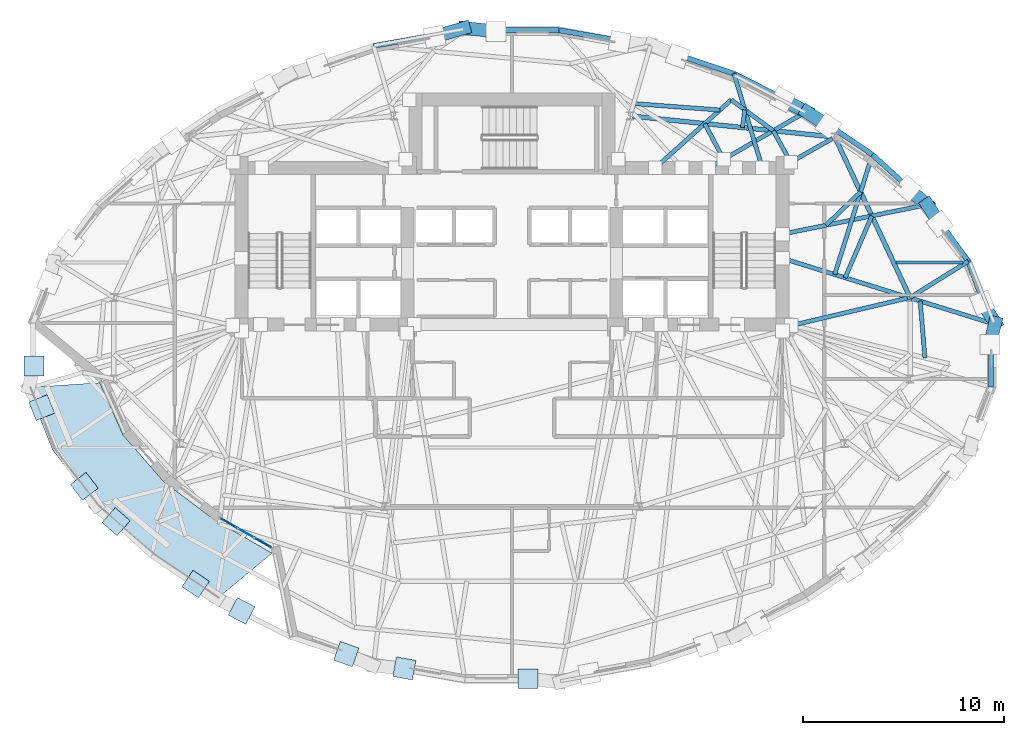
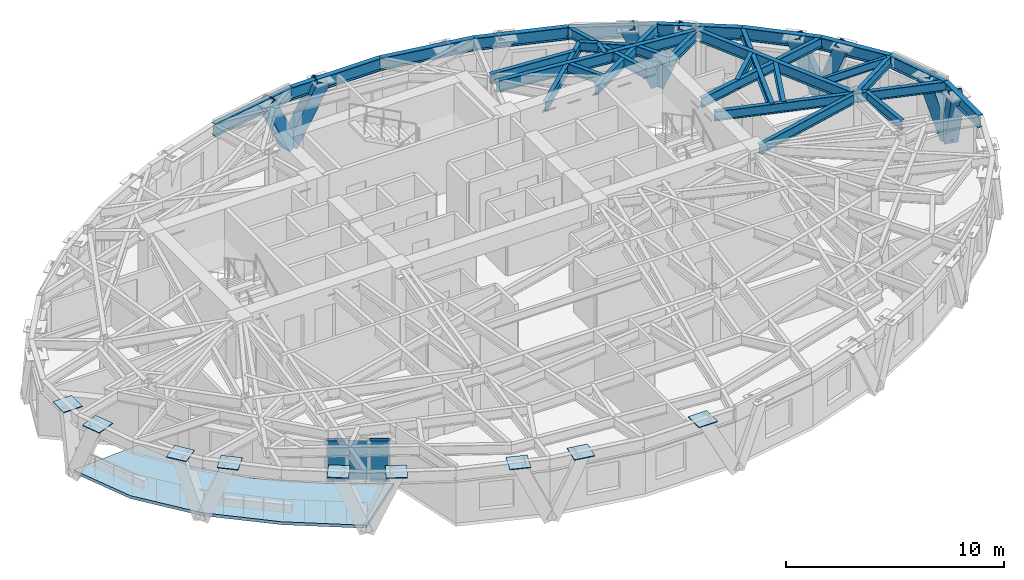
# One storey, part 5 of 15: 30 beams, 12 members, 12 plates, 1 slab, 1 element without a shape of its own.
"""IFC4 building model written with IfcOpenShell, lengths in metres."""

import ifcopenshell
import ifcopenshell.guid

model = None  # the IFC model being written
_history = None  # IfcOwnerHistory: only IFC2X3 demands one
_inside = {}  # id of a spatial element -> (the spatial element, [elements in it])
_under = {}  # id of a project, library or spatial element -> (it, [spatial elements below it])
_declared = {}  # id of a project -> (the project, [libraries it declares])
_typed = {}  # id of a type object -> (the type object, [elements of that type])
_made_of = {}  # id of a material, layer set ... -> (it, [elements and type objects made of it])


def new_model(schema):
    """Start an empty IFC model of exactly this schema.

    Asked for "IFC4X3", IfcOpenShell would pick the latest addendum, in which some entities
    have other attributes; the version numbers below select the first issue.
    IFC2X3 requires an IfcOwnerHistory on every rooted entity: one is made here for all.
    """
    global model, _history
    if schema == "IFC4X3":
        model = ifcopenshell.file(schema_version=(4, 3, 0, 0))
    else:
        model = ifcopenshell.file(schema=schema)
    _inside.clear()
    _under.clear()
    _declared.clear()
    _typed.clear()
    _made_of.clear()
    _history = None
    if model.schema == "IFC2X3":
        org = make("IfcOrganization", Name="unknown")
        user = make(
            "IfcPersonAndOrganization",
            ThePerson=make("IfcPerson", FamilyName="unknown"),
            TheOrganization=org,
        )
        app = make(
            "IfcApplication",
            ApplicationDeveloper=org,
            Version="unknown",
            ApplicationFullName="unknown",
            ApplicationIdentifier="unknown",
        )
        _history = make(
            "IfcOwnerHistory",
            OwningUser=user,
            OwningApplication=app,
            ChangeAction="ADDED",
            CreationDate=0,
        )
    return model


def make(cls, **values):
    """One entity of the class cls with the attributes given. An attribute that is None is left unset."""
    return model.create_entity(
        cls, **{name: value for name, value in values.items() if value is not None}
    )


def rooted(cls, **values):
    """An entity with a GlobalId (a new one), such as an element, a storey or a relation."""
    return make(cls, GlobalId=ifcopenshell.guid.new(), OwnerHistory=_history, **values)


def si_unit(unit_type, name, prefix=None):
    """IfcSIUnit, for example si_unit("LENGTHUNIT", "METRE", prefix="MILLI")."""
    return make("IfcSIUnit", UnitType=unit_type, Prefix=prefix, Name=name)


def assignment(units):
    """IfcUnitAssignment: the units of a project."""
    return None if units is None else make("IfcUnitAssignment", Units=units)


def point(xyz):
    """IfcCartesianPoint."""
    return None if xyz is None else make("IfcCartesianPoint", Coordinates=xyz)


def direction(xyz):
    """IfcDirection."""
    return None if xyz is None else make("IfcDirection", DirectionRatios=xyz)


def frame(location, z_axis=None, x_axis=None):
    """IfcAxis2Placement3D, a coordinate frame: its origin and axes. An axis left out is left unset."""
    return make(
        "IfcAxis2Placement3D",
        Location=point(location),
        Axis=direction(z_axis),
        RefDirection=direction(x_axis),
    )


def frame_2d(location, x_axis=None):
    """IfcAxis2Placement2D, a coordinate frame in the plane: its origin and x axis."""
    return make(
        "IfcAxis2Placement2D", Location=point(location), RefDirection=direction(x_axis)
    )


def origin():
    """The frame at (0, 0, 0) with its axes left unset."""
    return frame((0.0, 0.0, 0.0))


def origin_2d():
    """The frame at (0, 0) in the plane with its x axis left unset."""
    return frame_2d((0.0, 0.0))


def place(relative_to, where):
    """IfcLocalPlacement: puts the frame where relative to a parent placement (None: the world)."""
    return make(
        "IfcLocalPlacement", PlacementRelTo=relative_to, RelativePlacement=where
    )


def context(
    kind, dimensions, precision=None, world=None, true_north=None, identifier=None
):
    """IfcGeometricRepresentationContext, for example the 3D "Model" context."""
    return make(
        "IfcGeometricRepresentationContext",
        ContextIdentifier=identifier,
        ContextType=kind,
        CoordinateSpaceDimension=dimensions,
        Precision=precision,
        WorldCoordinateSystem=world,
        TrueNorth=true_north,
    )


def subcontext(parent, identifier, kind, view, scale=None):
    """IfcGeometricRepresentationSubContext, for example "Body" below "Model"."""
    return make(
        "IfcGeometricRepresentationSubContext",
        ContextIdentifier=identifier,
        ContextType=kind,
        ParentContext=parent,
        TargetScale=scale,
        TargetView=view,
    )


def project(units=None, contexts=None):
    """IfcProject with its units and contexts."""
    return rooted(
        "IfcProject",
        Name="project",
        RepresentationContexts=contexts,
        UnitsInContext=assignment(units),
    )


def spatial(cls, under=None, at=None, **own):
    """A site, building, storey or space (cls), placed at a placement, below another one or the project."""
    s = rooted(cls, ObjectPlacement=at, **own)
    if under is not None:
        _under.setdefault(under.id(), (under, []))[1].append(s)
    return s


def polyline(points):
    """IfcPolyline through the points."""
    return make("IfcPolyline", Points=[point(p) for p in points])


def profile(cls, at=None, kind="AREA", **sizes):
    """A parametric profile (cls). Its sizes go by their IFC names, for example OverallWidth=200.0."""
    return make(cls, ProfileType=kind, Position=at, **sizes)


def rectangle(**sizes):
    """IfcRectangleProfileDef."""
    return profile("IfcRectangleProfileDef", **sizes)


def hollow_rectangle(**sizes):
    """IfcRectangleHollowProfileDef."""
    return profile("IfcRectangleHollowProfileDef", **sizes)


def i_section(**sizes):
    """IfcIShapeProfileDef."""
    return profile("IfcIShapeProfileDef", **sizes)


def outline(outer, holes=None, kind="AREA"):
    """IfcArbitraryClosedProfileDef: a profile drawn as a closed curve; with holes, ...WithVoids."""
    if holes is None:
        return make("IfcArbitraryClosedProfileDef", ProfileType=kind, OuterCurve=outer)
    return make(
        "IfcArbitraryProfileDefWithVoids",
        ProfileType=kind,
        OuterCurve=outer,
        InnerCurves=holes,
    )


def extrude(swept, where, along, depth):
    """IfcExtrudedAreaSolid: the profile swept, set in the frame where, extruded along a direction by depth."""
    return make(
        "IfcExtrudedAreaSolid",
        SweptArea=swept,
        Position=where,
        ExtrudedDirection=direction(along),
        Depth=depth,
    )


def shape(context_of_items, identifier, shape_type, items):
    """IfcShapeRepresentation: the items that make up one representation, for example the "Body"."""
    return make(
        "IfcShapeRepresentation",
        ContextOfItems=context_of_items,
        RepresentationIdentifier=identifier,
        RepresentationType=shape_type,
        Items=items,
    )


def material(Name=None, Category=None):
    """IfcMaterial."""
    return make("IfcMaterial", Name=Name, Category=Category)


def layer(
    of_material, thickness, ventilated=None, Name=None, Category=None, Priority=None
):
    """IfcMaterialLayer: one layer of a wall or slab, of a material (None: an air gap)."""
    return make(
        "IfcMaterialLayer",
        Material=of_material,
        LayerThickness=thickness,
        IsVentilated=ventilated,
        Name=Name,
        Category=Category,
        Priority=Priority,
    )


def layer_set(layers, Name=None):
    """IfcMaterialLayerSet."""
    return make("IfcMaterialLayerSet", MaterialLayers=layers, LayerSetName=Name)


def material_profile(
    of_material, cross_section, Name=None, Category=None, Priority=None
):
    """IfcMaterialProfile: a cross section and its material."""
    return make(
        "IfcMaterialProfile",
        Name=Name,
        Material=of_material,
        Profile=cross_section,
        Priority=Priority,
        Category=Category,
    )


def profile_set(profiles, Name=None, composite=None):
    """IfcMaterialProfileSet."""
    return make(
        "IfcMaterialProfileSet",
        Name=Name,
        MaterialProfiles=profiles,
        CompositeProfile=composite,
    )


def made_of(thing, what):
    """Note that an element or type object is made of a material, layer set ...; save() writes the relation."""
    if what is not None:
        _made_of.setdefault(what.id(), (what, []))[1].append(thing)
    return thing


def type_object(cls, material=None, **own):
    """A type object (cls), such as IfcWallType, which elements share."""
    return made_of(rooted(cls, **own), material)


def element(
    cls,
    number,
    at=None,
    inside=None,
    cuts=None,
    type_object=None,
    material=None,
    context=None,
    identifier="Body",
    shape_type=None,
    held_by="IfcProductDefinitionShape",
    body=None,
    shapes=None,
    **own,
):
    """One element of the class cls, such as IfcWall. Its Tag is "e" and its number.

    at: its placement. inside: the storey or other place that contains it. cuts: it is an
    opening in that element (IfcRelVoidsElement). A single representation is given by context,
    identifier, shape_type and body (its items); several are given by shapes. held_by: the class
    of the entity that holds the representations. save() writes the other relations.
    """
    e = rooted(cls, Tag="e%d" % number, ObjectPlacement=at, **own)
    if body is not None:
        shapes = [shape(context, identifier, shape_type, body)]
    if shapes is not None:
        e.Representation = make(held_by, Representations=shapes)
    if inside is not None:
        _inside.setdefault(inside.id(), (inside, []))[1].append(e)
    if cuts is not None:
        rooted(
            "IfcRelVoidsElement", RelatingBuildingElement=cuts, RelatedOpeningElement=e
        )
    if type_object is not None:
        _typed.setdefault(type_object.id(), (type_object, []))[1].append(e)
    return made_of(e, material)


def aggregate(whole, parts):
    """IfcRelAggregates: a whole, such as a stair, and the parts it consists of."""
    return rooted("IfcRelAggregates", RelatingObject=whole, RelatedObjects=parts)


def save(model, path):
    """Write the relations noted so far, then the file.

    IfcRelAggregates (storeys below a building ...), IfcRelContainedInSpatialStructure (elements
    in a storey), IfcRelDefinesByType, IfcRelAssociatesMaterial and IfcRelDeclares: one each for
    every whole, place, type object, material and project.
    """
    for whole, parts in _under.values():
        aggregate(whole, parts)
    for where, things in _inside.values():
        rooted(
            "IfcRelContainedInSpatialStructure",
            RelatedElements=things,
            RelatingStructure=where,
        )
    for kind, things in _typed.values():
        rooted("IfcRelDefinesByType", RelatedObjects=things, RelatingType=kind)
    for what, things in _made_of.values():
        rooted("IfcRelAssociatesMaterial", RelatedObjects=things, RelatingMaterial=what)
    for by, libraries in _declared.values():
        rooted("IfcRelDeclares", RelatingContext=by, RelatedDefinitions=libraries)
    model.write(path)


model = new_model("IFC4")

# Units and contexts
model_context = context("Model", 3, precision=1e-05, world=origin(), true_north=direction((0.0, 1.0)))
body_context = subcontext(model_context, "Body", "Model", "MODEL_VIEW")
ifc_project = project(units=[si_unit("LENGTHUNIT", "METRE"), si_unit("AREAUNIT", "SQUARE_METRE"), si_unit("VOLUMEUNIT", "CUBIC_METRE"), si_unit("PLANEANGLEUNIT", "RADIAN"), si_unit("MASSUNIT", "GRAM", prefix="KILO")], contexts=[model_context])

# Site, building, storey
site_placement = place(None, origin())
site = spatial("IfcSite", under=ifc_project, at=site_placement, CompositionType="ELEMENT")
building_placement = place(site_placement, origin())
building = spatial("IfcBuilding", under=site, at=building_placement, Name="Keldmark Tower", CompositionType="ELEMENT")
storey_placement = place(building_placement, frame((0.0, 0.0, 195.0)))
storey = spatial("IfcBuildingStorey", under=building, at=storey_placement, Name="L54", CompositionType="ELEMENT", Elevation=195.0)

# Beam
ifc_material_1 = material(Name="Steel ASTM A992 Grade 50", Category="steel")
ifc_material_profile_1 = material_profile(ifc_material_1, i_section(OverallWidth=0.153076171875, OverallDepth=0.455078125, WebThickness=0.008056640625, FlangeThickness=0.01318359375, at=origin_2d()), Name="W18X40")
ifc_profile_set_1 = profile_set([ifc_material_profile_1], Name="Steel ASTM A992 Grade 50")
beam_type_1 = type_object("IfcBeamType", Name="Composite Floor Joist W18X40", PredefinedType="JOIST", material=ifc_profile_set_1)
beam_1_placement = place(storey_placement, frame((19.12451171875, 4.6201171875, 2.79248046875), z_axis=(1.0, 0.0, 0.0), x_axis=(0.0, 1.0, 0.0)))
element("IfcBeam", 1, at=beam_1_placement, inside=storey, type_object=beam_type_1, Name="L54 Composite Floor Joist J04", PredefinedType="JOIST", context=body_context, shape_type="SweptSolid", body=[
    extrude(i_section(OverallWidth=0.153076171875, OverallDepth=0.455078125, WebThickness=0.008056640625, FlangeThickness=0.01318359375, at=origin_2d()), origin(), (0.0, 0.0, 1.0), 3.32861328125),
])

# Curtain wall, members
ifc_material_2 = material(Name="Unitized Thermally Broken Aluminum and Triple Low-E Glazing", Category="aluminium")
ifc_layer_1 = layer(ifc_material_2, 0.219970703125)
ifc_layer_set_1 = layer_set([ifc_layer_1], Name="Unitized Thermally Broken Aluminum and Triple Low-E Glazing")
curtain_wall_type = type_object("IfcCurtainWallType", Name="Spiralling Sky-Garden Feature Curtain Wall System", PredefinedType="NOTDEFINED", material=ifc_layer_set_1)
curtain_wall_placement = place(storey_placement, origin())
curtain_wall = element("IfcCurtainWall", 2, at=curtain_wall_placement, inside=storey, type_object=curtain_wall_type, Name="L54 Spiralling Sky-Garden Feature Curtain Wall System CW-L54-20", PredefinedType="NOTDEFINED")
ifc_material_3 = material(Name="Extruded Aluminum Alloy 6063-T6", Category="aluminium")
ifc_material_profile_2 = material_profile(ifc_material_3, rectangle(XDim=0.06005859375, YDim=0.139892578125, at=origin_2d()), Name="CWT60X140")
ifc_profile_set_2 = profile_set([ifc_material_profile_2], Name="Extruded Aluminum Alloy 6063-T6")
member_type_1 = type_object("IfcMemberType", Name="Curtain Wall Horizontal Transom 60x140", PredefinedType="USERDEFINED", material=ifc_profile_set_2)
member_1_placement = place(storey_placement, frame((-12.0068359375, -9.575927734375, 0.030029296875), z_axis=(-0.866689149506, 0.498848592389, 0.0), x_axis=(-0.498848592389, -0.866689149506, 0.0)))
member_1 = element("IfcMember", 3, at=member_1_placement, type_object=member_type_1, Name="CW transom 1.1", ObjectType="TRANSOM", PredefinedType="USERDEFINED", context=body_context, shape_type="SweptSolid", body=[
    extrude(rectangle(XDim=0.06005859375, YDim=0.139892578125, at=origin_2d()), origin(), (0.0, 0.0, 1.0), 0.911376953125),
])
member_2_placement = place(storey_placement, frame((-12.0068359375, -9.575927734375, 2.284912109375), z_axis=(-0.866689149506, 0.498848592389, 0.0), x_axis=(-0.498848592389, -0.866689149506, 0.0)))
member_2 = element("IfcMember", 4, at=member_2_placement, type_object=member_type_1, Name="CW transom 1.2", ObjectType="TRANSOM", PredefinedType="USERDEFINED", context=body_context, shape_type="SweptSolid", body=[
    extrude(rectangle(XDim=0.06005859375, YDim=0.139892578125, at=origin_2d()), origin(), (0.0, 0.0, 1.0), 0.911376953125),
])
member_3_placement = place(storey_placement, frame((-13.71630859375, -8.592041015625, 0.030029296875), z_axis=(-0.866689149506, 0.498848592389, 0.0), x_axis=(-0.498848592389, -0.866689149506, 0.0)))
member_3 = element("IfcMember", 5, at=member_3_placement, type_object=member_type_1, Name="CW transom 3.1", ObjectType="TRANSOM", PredefinedType="USERDEFINED", context=body_context, shape_type="SweptSolid", body=[
    extrude(rectangle(XDim=0.06005859375, YDim=0.139892578125, at=origin_2d()), origin(), (0.0, 0.0, 1.0), 0.911376953125),
])
member_4_placement = place(storey_placement, frame((-13.71630859375, -8.592041015625, 2.284912109375), z_axis=(-0.866689149506, 0.498848592389, 0.0), x_axis=(-0.498848592389, -0.866689149506, 0.0)))
member_4 = element("IfcMember", 6, at=member_4_placement, type_object=member_type_1, Name="CW transom 3.2", ObjectType="TRANSOM", PredefinedType="USERDEFINED", context=body_context, shape_type="SweptSolid", body=[
    extrude(rectangle(XDim=0.06005859375, YDim=0.139892578125, at=origin_2d()), origin(), (0.0, 0.0, 1.0), 0.911376953125),
])

# Members
ifc_material_4 = material(Name="Steel ASTM A572 Grade 50", Category="steel")
ifc_material_profile_3 = material_profile(ifc_material_4, hollow_rectangle(XDim=0.64990234375, YDim=0.64990234375, WallThickness=0.0400390625, at=origin_2d()), Name="BOX650X650X40")
ifc_profile_set_3 = profile_set([ifc_material_profile_3], Name="Steel ASTM A572 Grade 50")
member_type_2 = type_object("IfcMemberType", Name="Diagrid Zone 3 Brace BOX650X650X40", PredefinedType="BRACE", material=ifc_profile_set_3)
member_5_placement = place(storey_placement, frame((24.069091796875, 1.605224609375, -0.260009765625), z_axis=(-0.190598786079, 0.298614398356, 0.935147872713), x_axis=(-0.842930081516, -0.538023120019, 0.0)))
element("IfcMember", 7, at=member_5_placement, inside=storey, type_object=member_type_2, Name="L54 Perimeter Diagrid Brace 01A", PredefinedType="BRACE", context=body_context, shape_type="SweptSolid", body=[
    extrude(hollow_rectangle(XDim=0.64990234375, YDim=0.64990234375, WallThickness=0.0400390625, at=origin_2d()), origin(), (0.0, 0.0, 1.0), 3.379150390625),
])
member_6_placement = place(storey_placement, frame((20.685546875, 7.499267578125, -0.260009765625), z_axis=(0.184722296297, -0.286272343573, 0.940173291769), x_axis=(0.840255915294, 0.542190000658, 0.0)))
element("IfcMember", 8, at=member_6_placement, inside=storey, type_object=member_type_2, Name="L54 Perimeter Diagrid Brace 01B", PredefinedType="BRACE", context=body_context, shape_type="SweptSolid", body=[
    extrude(hollow_rectangle(XDim=0.64990234375, YDim=0.64990234375, WallThickness=0.0400390625, at=origin_2d()), origin(), (0.0, 0.0, 1.0), 3.361083984375),
])
member_7_placement = place(storey_placement, frame((20.68994140625, 7.48828125, -0.260009765625), z_axis=(-0.285296485785, 0.237735115387, 0.928486903575), x_axis=(-0.64016539914, -0.768237112969, 0.0)))
element("IfcMember", 9, at=member_7_placement, inside=storey, type_object=member_type_2, Name="L54 Perimeter Diagrid Brace 02A", PredefinedType="BRACE", context=body_context, shape_type="SweptSolid", body=[
    extrude(hollow_rectangle(XDim=0.64990234375, YDim=0.64990234375, WallThickness=0.0400390625, at=origin_2d()), origin(), (0.0, 0.0, 1.0), 3.4033203125),
])
member_8_placement = place(storey_placement, frame((14.67236328125, 12.12109375, -0.260009765625), z_axis=(0.317507772767, -0.209909504138, 0.924730671225), x_axis=(0.551490578691, 0.83418112039, 0.0)))
element("IfcMember", 10, at=member_8_placement, inside=storey, type_object=member_type_2, Name="L54 Perimeter Diagrid Brace 02B", PredefinedType="BRACE", context=body_context, shape_type="SweptSolid", body=[
    extrude(hollow_rectangle(XDim=0.64990234375, YDim=0.64990234375, WallThickness=0.0400390625, at=origin_2d()), origin(), (0.0, 0.0, 1.0), 3.417236328125),
])
member_9_placement = place(storey_placement, frame((14.6806640625, 12.11279296875, -0.260009765625), z_axis=(-0.352400489935, 0.182334807733, 0.91791498113), x_axis=(-0.459539615462, -0.888157273134, 0.0)))
element("IfcMember", 11, at=member_9_placement, inside=storey, type_object=member_type_2, Name="L54 Perimeter Diagrid Brace 03A", PredefinedType="BRACE", context=body_context, shape_type="SweptSolid", body=[
    extrude(hollow_rectangle(XDim=0.64990234375, YDim=0.64990234375, WallThickness=0.0400390625, at=origin_2d()), origin(), (0.0, 0.0, 1.0), 3.4423828125),
])
member_10_placement = place(storey_placement, frame((-2.38232421875, 16.298583984375, -0.260009765625), z_axis=(0.449587883117, -0.050574330453, 0.891803213974), x_axis=(0.111785373517, 0.993732373563, 0.0)))
element("IfcMember", 12, at=member_10_placement, inside=storey, type_object=member_type_2, Name="L54 Perimeter Diagrid Brace 04B", PredefinedType="BRACE", context=body_context, shape_type="SweptSolid", body=[
    extrude(hollow_rectangle(XDim=0.64990234375, YDim=0.64990234375, WallThickness=0.0400390625, at=origin_2d()), origin(), (0.0, 0.0, 1.0), 3.543212890625),
])
member_11_placement = place(storey_placement, frame((-2.37060546875, 16.298583984375, -0.260009765625), z_axis=(-0.42280413069, -0.124011447781, 0.897695843753), x_axis=(0.28145037755, -0.959575783863, 0.0)))
element("IfcMember", 13, at=member_11_placement, inside=storey, type_object=member_type_2, Name="L54 Perimeter Diagrid Brace 05A", PredefinedType="BRACE", context=body_context, shape_type="SweptSolid", body=[
    extrude(hollow_rectangle(XDim=0.64990234375, YDim=0.64990234375, WallThickness=0.0400390625, at=origin_2d()), origin(), (0.0, 0.0, 1.0), 3.52001953125),
])
member_12_placement = place(storey_placement, frame((24.069091796875, 1.6171875, -0.260009765625), z_axis=(-0.078930091832, -0.322425416682, 0.943298410515), x_axis=(0.971319047575, -0.237779956719, 0.0)))
element("IfcMember", 14, at=member_12_placement, inside=storey, type_object=member_type_2, Name="L54 Perimeter Diagrid Brace 16B", PredefinedType="BRACE", context=body_context, shape_type="SweptSolid", body=[
    extrude(hollow_rectangle(XDim=0.64990234375, YDim=0.64990234375, WallThickness=0.0400390625, at=origin_2d()), origin(), (0.0, 0.0, 1.0), 3.349853515625),
])

# Beams
ifc_material_5 = material(Name="Steel ASTM A992 Grade 50", Category="steel")
ifc_material_profile_4 = material_profile(ifc_material_5, i_section(OverallWidth=0.22900390625, OverallDepth=0.612060546875, WebThickness=0.011962890625, FlangeThickness=0.01953125, at=origin_2d()), Name="W24X84")
ifc_profile_set_4 = profile_set([ifc_material_profile_4], Name="Steel ASTM A992 Grade 50")
beam_type_2 = type_object("IfcBeamType", Name="Primary Floor Girder W24X84", PredefinedType="BEAM", material=ifc_profile_set_4)
beam_2_placement = place(storey_placement, frame((19.76904296875, 2.99609375, 2.714111328125), z_axis=(-0.424526823774, 0.905415360979, 0.0), x_axis=(-0.905415360979, -0.424526823774, 0.0)))
element("IfcBeam", 15, at=beam_2_placement, inside=storey, type_object=beam_type_2, Name="L54 Floor Ring Girder FG-R01", PredefinedType="BEAM", context=body_context, shape_type="SweptSolid", body=[
    extrude(i_section(OverallWidth=0.22900390625, OverallDepth=0.612060546875, WebThickness=0.011962890625, FlangeThickness=0.01953125, at=origin_2d()), origin(), (0.0, 0.0, 1.0), 8.54638671875),
])
beam_3_placement = place(storey_placement, frame((15.942138671875, 10.87548828125, 2.714111328125), z_axis=(-0.994702930931, 0.102791435423, 0.0), x_axis=(-0.102791435423, -0.994702930931, 0.0)))
element("IfcBeam", 16, at=beam_3_placement, inside=storey, type_object=beam_type_2, Name="L54 Floor Ring Girder FG-R02", PredefinedType="BEAM", context=body_context, shape_type="SweptSolid", body=[
    extrude(i_section(OverallWidth=0.22900390625, OverallDepth=0.612060546875, WebThickness=0.011962890625, FlangeThickness=0.01953125, at=origin_2d()), origin(), (0.0, 0.0, 1.0), 9.975341796875),
])
ifc_material_6 = material(Name="Steel ASTM A992 Grade 50", Category="steel")
ifc_material_profile_5 = material_profile(ifc_material_6, i_section(OverallWidth=0.2099609375, OverallDepth=0.537109375, WebThickness=0.010986328125, FlangeThickness=0.017333984375, at=origin_2d()), Name="W21X68")
ifc_profile_set_5 = profile_set([ifc_material_profile_5], Name="Steel ASTM A992 Grade 50")
beam_type_3 = type_object("IfcBeamType", Name="Radial Tie Girder W21X68", PredefinedType="BEAM", material=ifc_profile_set_5)
beam_4_placement = place(storey_placement, frame((19.692138671875, 2.837158203125, 2.75146484375), z_axis=(-0.973280062348, -0.229621253887, 0.0), x_axis=(0.229621253887, -0.973280062348, 0.0)))
element("IfcBeam", 17, at=beam_4_placement, inside=storey, type_object=beam_type_3, Name="L54 Floor Radial Girder FG-C01", PredefinedType="BEAM", context=body_context, shape_type="SweptSolid", body=[
    extrude(i_section(OverallWidth=0.2099609375, OverallDepth=0.537109375, WebThickness=0.010986328125, FlangeThickness=0.017333984375, at=origin_2d()), origin(), (0.0, 0.0, 1.0), 5.939208984375),
])
beam_5_placement = place(storey_placement, frame((15.959716796875, 10.791748046875, 2.75146484375), z_axis=(-0.86929527307, -0.494293160197, 0.0), x_axis=(0.494293160197, -0.86929527307, 0.0)))
element("IfcBeam", 18, at=beam_5_placement, inside=storey, type_object=beam_type_3, Name="L54 Floor Radial Girder FG-C02", PredefinedType="BEAM", context=body_context, shape_type="SweptSolid", body=[
    extrude(i_section(OverallWidth=0.2099609375, OverallDepth=0.537109375, WebThickness=0.010986328125, FlangeThickness=0.017333984375, at=origin_2d()), origin(), (0.0, 0.0, 1.0), 2.39453125),
])
beam_6_placement = place(storey_placement, frame((20.569580078125, -0.13818359375, 2.75146484375), z_axis=(-0.084084258661, 0.996458648136, 0.0), x_axis=(-0.996458648136, -0.084084258661, 0.0)))
element("IfcBeam", 19, at=beam_6_placement, inside=storey, type_object=beam_type_3, Name="L54 Framing Pin Header PH-011", PredefinedType="BEAM", context=body_context, shape_type="SweptSolid", body=[
    extrude(i_section(OverallWidth=0.2099609375, OverallDepth=0.537109375, WebThickness=0.010986328125, FlangeThickness=0.017333984375, at=origin_2d()), origin(), (0.0, 0.0, 1.0), 2.839599609375),
])
beam_7_placement = place(storey_placement, frame((13.47509765625, 4.8212890625, 2.75146484375), z_axis=(0.954971428081, -0.296697778133, 0.0), x_axis=(0.296697778133, 0.954971428081, 0.0)))
element("IfcBeam", 20, at=beam_7_placement, inside=storey, type_object=beam_type_3, Name="L54 Perimeter Radial Tie Girder RT-01", PredefinedType="BEAM", context=body_context, shape_type="SweptSolid", body=[
    extrude(i_section(OverallWidth=0.2099609375, OverallDepth=0.537109375, WebThickness=0.010986328125, FlangeThickness=0.017333984375, at=origin_2d()), origin(), (0.0, 0.0, 1.0), 10.87890625),
])
beam_8_placement = place(storey_placement, frame((19.828369140625, 2.869140625, 2.75146484375), z_axis=(0.848809086874, 0.528699474219, 0.0), x_axis=(-0.528699474219, 0.848809086874, 0.0)))
element("IfcBeam", 21, at=beam_8_placement, inside=storey, type_object=beam_type_3, Name="L54 Perimeter Column Bracket RT-02", PredefinedType="BEAM", context=body_context, shape_type="SweptSolid", body=[
    extrude(i_section(OverallWidth=0.2099609375, OverallDepth=0.537109375, WebThickness=0.010986328125, FlangeThickness=0.017333984375, at=origin_2d()), origin(), (0.0, 0.0, 1.0), 3.4130859375),
])
beam_9_placement = place(storey_placement, frame((16.591796875, 3.85302734375, 2.75146484375), z_axis=(0.396639469177, 0.917974472135, 0.0), x_axis=(-0.917974472135, 0.396639469177, 0.0)))
element("IfcBeam", 22, at=beam_9_placement, inside=storey, type_object=beam_type_3, Name="L54 Framing Pin Header PH-012", PredefinedType="BEAM", context=body_context, shape_type="SweptSolid", body=[
    extrude(i_section(OverallWidth=0.2099609375, OverallDepth=0.537109375, WebThickness=0.010986328125, FlangeThickness=0.017333984375, at=origin_2d()), origin(), (0.0, 0.0, 1.0), 3.355712890625),
])
beam_10_placement = place(storey_placement, frame((13.47509765625, 6.028564453125, 2.75146484375), z_axis=(0.979921606424, 0.199383161934, 0.0), x_axis=(-0.199383161934, 0.979921606424, 0.0)))
element("IfcBeam", 23, at=beam_10_placement, inside=storey, type_object=beam_type_3, Name="L54 Perimeter Radial Tie Girder RT-03", PredefinedType="BEAM", context=body_context, shape_type="SweptSolid", body=[
    extrude(i_section(OverallWidth=0.2099609375, OverallDepth=0.537109375, WebThickness=0.010986328125, FlangeThickness=0.017333984375, at=origin_2d()), origin(), (0.0, 0.0, 1.0), 7.35546875),
])
beam_11_placement = place(storey_placement, frame((15.637451171875, 6.468505859375, 2.75146484375), z_axis=(0.721646206723, 0.69226205466, 0.0), x_axis=(-0.69226205466, 0.721646206723, 0.0)))
element("IfcBeam", 24, at=beam_11_placement, inside=storey, type_object=beam_type_3, Name="L54 Framing Pin Header PH-013", PredefinedType="BEAM", context=body_context, shape_type="SweptSolid", body=[
    extrude(i_section(OverallWidth=0.2099609375, OverallDepth=0.537109375, WebThickness=0.010986328125, FlangeThickness=0.017333984375, at=origin_2d()), origin(), (0.0, 0.0, 1.0), 2.392822265625),
])
beam_12_placement = place(storey_placement, frame((16.072265625, 4.014404296875, 2.75146484375), z_axis=(0.299837750758, 0.953990211281, 0.0), x_axis=(-0.953990211281, 0.299837750758, 0.0)))
element("IfcBeam", 25, at=beam_12_placement, inside=storey, type_object=beam_type_3, Name="L54 Perimeter Radial Tie Girder RT-04", PredefinedType="BEAM", context=body_context, shape_type="SweptSolid", body=[
    extrude(i_section(OverallWidth=0.2099609375, OverallDepth=0.537109375, WebThickness=0.010986328125, FlangeThickness=0.017333984375, at=origin_2d()), origin(), (0.0, 0.0, 1.0), 6.2607421875),
])
beam_13_placement = place(storey_placement, frame((13.878173828125, 9.608154296875, 2.75146484375), z_axis=(-0.482284800035, 0.876014481419, 0.0), x_axis=(-0.876014481419, -0.482284800035, 0.0)))
element("IfcBeam", 26, at=beam_13_placement, inside=storey, type_object=beam_type_3, Name="L54 Framing Pin Header PH-014", PredefinedType="BEAM", context=body_context, shape_type="SweptSolid", body=[
    extrude(i_section(OverallWidth=0.2099609375, OverallDepth=0.537109375, WebThickness=0.010986328125, FlangeThickness=0.017333984375, at=origin_2d()), origin(), (0.0, 0.0, 1.0), 1.7919921875),
])
beam_14_placement = place(storey_placement, frame((9.8037109375, 9.324951171875, 2.75146484375), z_axis=(0.866053383534, 0.499951534521, 0.0), x_axis=(-0.499951534521, 0.866053383534, 0.0)))
element("IfcBeam", 27, at=beam_14_placement, inside=storey, type_object=beam_type_3, Name="L54 Perimeter Radial Tie Girder RT-05", PredefinedType="BEAM", context=body_context, shape_type="SweptSolid", body=[
    extrude(i_section(OverallWidth=0.2099609375, OverallDepth=0.537109375, WebThickness=0.010986328125, FlangeThickness=0.017333984375, at=origin_2d()), origin(), (0.0, 0.0, 1.0), 5.68896484375),
])
beam_15_placement = place(storey_placement, frame((10.542724609375, 9.751708984375, 2.75146484375), z_axis=(-0.468422345536, 0.883504672428, 0.0), x_axis=(-0.883504672428, -0.468422345536, 0.0)))
element("IfcBeam", 28, at=beam_15_placement, inside=storey, type_object=beam_type_3, Name="L54 Framing Pin Header PH-015", PredefinedType="BEAM", context=body_context, shape_type="SweptSolid", body=[
    extrude(i_section(OverallWidth=0.2099609375, OverallDepth=0.537109375, WebThickness=0.010986328125, FlangeThickness=0.017333984375, at=origin_2d()), origin(), (0.0, 0.0, 1.0), 2.013916015625),
])
beam_16_placement = place(storey_placement, frame((7.139404296875, 9.324951171875, 2.75146484375), z_axis=(0.74449775088, 0.667624968777, 0.0), x_axis=(-0.667624968777, 0.74449775088, 0.0)))
element("IfcBeam", 29, at=beam_16_placement, inside=storey, type_object=beam_type_3, Name="L54 Intermediate Radial Step Girder RT-06M", PredefinedType="BEAM", context=body_context, shape_type="SweptSolid", body=[
    extrude(i_section(OverallWidth=0.2099609375, OverallDepth=0.537109375, WebThickness=0.010986328125, FlangeThickness=0.017333984375, at=origin_2d()), origin(), (0.0, 0.0, 1.0), 5.078369140625),
])
beam_17_placement = place(storey_placement, frame((13.013916015625, 11.177978515625, 2.75146484375), z_axis=(-0.80604926759, 0.591848441932, 0.0), x_axis=(-0.591848441932, -0.80604926759, 0.0)))
element("IfcBeam", 30, at=beam_17_placement, inside=storey, type_object=beam_type_3, Name="L54 Local Collector Chord RT-06C", PredefinedType="BEAM", context=body_context, shape_type="SweptSolid", body=[
    extrude(i_section(OverallWidth=0.2099609375, OverallDepth=0.537109375, WebThickness=0.010986328125, FlangeThickness=0.017333984375, at=origin_2d()), origin(), (0.0, 0.0, 1.0), 2.59765625),
])
beam_18_placement = place(storey_placement, frame((11.47705078125, 11.3369140625, 2.75146484375), z_axis=(0.135958876723, 0.990714481493, 0.0), x_axis=(-0.990714481493, 0.135958876723, 0.0)))
element("IfcBeam", 31, at=beam_18_placement, inside=storey, type_object=beam_type_3, Name="L54 Framing Pin Header PH-016", PredefinedType="BEAM", context=body_context, shape_type="SweptSolid", body=[
    extrude(i_section(OverallWidth=0.2099609375, OverallDepth=0.537109375, WebThickness=0.010986328125, FlangeThickness=0.017333984375, at=origin_2d()), origin(), (0.0, 0.0, 1.0), 0.888916015625),
])
beam_19_placement = place(storey_placement, frame((12.468017578125, 9.324951171875, 2.75146484375), z_axis=(-0.288032753082, 0.957620558025, 0.0), x_axis=(-0.957620558025, -0.288032753082, 0.0)))
element("IfcBeam", 32, at=beam_19_placement, inside=storey, type_object=beam_type_3, Name="L54 Perimeter Radial Tie Girder RT-06", PredefinedType="BEAM", context=body_context, shape_type="SweptSolid", body=[
    extrude(i_section(OverallWidth=0.2099609375, OverallDepth=0.537109375, WebThickness=0.010986328125, FlangeThickness=0.017333984375, at=origin_2d()), origin(), (0.0, 0.0, 1.0), 4.905029296875),
])
beam_20_placement = place(storey_placement, frame((10.35302734375, 12.206787109375, 2.75146484375), z_axis=(-0.997201000669, 0.074767401085, 0.0), x_axis=(-0.074767401085, -0.997201000669, 0.0)))
element("IfcBeam", 33, at=beam_20_placement, inside=storey, type_object=beam_type_3, Name="L54 Framing Pin Header PH-036", PredefinedType="BEAM", context=body_context, shape_type="SweptSolid", body=[
    extrude(i_section(OverallWidth=0.2099609375, OverallDepth=0.537109375, WebThickness=0.010986328125, FlangeThickness=0.017333984375, at=origin_2d()), origin(), (0.0, 0.0, 1.0), 4.306884765625),
])
ifc_material_7 = material(Name="Steel ASTM A992 Grade 50", Category="steel")
ifc_material_profile_6 = material_profile(ifc_material_7, i_section(OverallWidth=0.256103515625, OverallDepth=0.693115234375, WebThickness=0.014404296875, FlangeThickness=0.023681640625, at=origin_2d()), Name="W27X114")
ifc_profile_set_6 = profile_set([ifc_material_profile_6], Name="Steel ASTM A992 Grade 50")
beam_type_4 = type_object("IfcBeamType", Name="Spandrel Ring Beam W27X114", PredefinedType="SPANDREL", material=ifc_profile_set_6)
beam_21_placement = place(storey_placement, frame((23.8642578125, 1.593505859375, 2.673583984375), z_axis=(-0.346817928639, 0.937932473249, 0.0), x_axis=(-0.937932473249, -0.346817928639, 0.0)))
element("IfcBeam", 34, at=beam_21_placement, inside=storey, type_object=beam_type_4, Name="L54 Perimeter Spandrel Ring Beam SRB-01", PredefinedType="SPANDREL", context=body_context, shape_type="SweptSolid", body=[
    extrude(i_section(OverallWidth=0.256103515625, OverallDepth=0.693115234375, WebThickness=0.014404296875, FlangeThickness=0.023681640625, at=origin_2d()), origin(), (0.0, 0.0, 1.0), 3.283935546875),
])
beam_22_placement = place(storey_placement, frame((22.725341796875, 4.673583984375, 2.673583984375), z_axis=(-0.586378206793, 0.810037405678, 0.0), x_axis=(-0.810037405678, -0.586378206793, 0.0)))
element("IfcBeam", 35, at=beam_22_placement, inside=storey, type_object=beam_type_4, Name="L54 Perimeter Spandrel Ring Beam SRB-02", PredefinedType="SPANDREL", context=body_context, shape_type="SweptSolid", body=[
    extrude(i_section(OverallWidth=0.256103515625, OverallDepth=0.693115234375, WebThickness=0.014404296875, FlangeThickness=0.023681640625, at=origin_2d()), origin(), (0.0, 0.0, 1.0), 3.483154296875),
])
beam_23_placement = place(storey_placement, frame((20.682861328125, 7.4951171875, 2.673583984375), z_axis=(-0.738992571182, 0.67371357396, 0.0), x_axis=(-0.67371357396, -0.738992571182, 0.0)))
element("IfcBeam", 36, at=beam_23_placement, inside=storey, type_object=beam_type_4, Name="L54 Perimeter Spandrel Ring Beam SRB-03", PredefinedType="SPANDREL", context=body_context, shape_type="SweptSolid", body=[
    extrude(i_section(OverallWidth=0.256103515625, OverallDepth=0.693115234375, WebThickness=0.014404296875, FlangeThickness=0.023681640625, at=origin_2d()), origin(), (0.0, 0.0, 1.0), 3.69873046875),
])
beam_24_placement = place(storey_placement, frame((17.949462890625, 9.987060546875, 2.673583984375), z_axis=(-0.82771739458, 0.56114518149, 0.0), x_axis=(-0.56114518149, -0.82771739458, 0.0)))
element("IfcBeam", 37, at=beam_24_placement, inside=storey, type_object=beam_type_4, Name="L54 Perimeter Spandrel Ring Beam SRB-04", PredefinedType="SPANDREL", context=body_context, shape_type="SweptSolid", body=[
    extrude(i_section(OverallWidth=0.256103515625, OverallDepth=0.693115234375, WebThickness=0.014404296875, FlangeThickness=0.023681640625, at=origin_2d()), origin(), (0.0, 0.0, 1.0), 3.888671875),
])
beam_25_placement = place(storey_placement, frame((14.730712890625, 12.169189453125, 2.673583984375), z_axis=(-0.892939479035, 0.450176728387, 0.0), x_axis=(-0.450176728387, -0.892939479035, 0.0)))
element("IfcBeam", 38, at=beam_25_placement, inside=storey, type_object=beam_type_4, Name="L54 Perimeter Spandrel Ring Beam SRB-05", PredefinedType="SPANDREL", context=body_context, shape_type="SweptSolid", body=[
    extrude(i_section(OverallWidth=0.256103515625, OverallDepth=0.693115234375, WebThickness=0.014404296875, FlangeThickness=0.023681640625, at=origin_2d()), origin(), (0.0, 0.0, 1.0), 4.1162109375),
])
beam_26_placement = place(storey_placement, frame((11.05517578125, 14.022216796875, 2.673583984375), z_axis=(-0.948844608833, 0.315743421608, 0.0), x_axis=(-0.315743421608, -0.948844608833, 0.0)))
element("IfcBeam", 39, at=beam_26_placement, inside=storey, type_object=beam_type_4, Name="L54 Perimeter Spandrel Ring Beam SRB-06", PredefinedType="SPANDREL", context=body_context, shape_type="SweptSolid", body=[
    extrude(i_section(OverallWidth=0.256103515625, OverallDepth=0.693115234375, WebThickness=0.014404296875, FlangeThickness=0.023681640625, at=origin_2d()), origin(), (0.0, 0.0, 1.0), 4.3857421875),
])
beam_27_placement = place(storey_placement, frame((6.893798828125, 15.406982421875, 2.673583984375), z_axis=(-0.98586197295, 0.167559453006, 0.0), x_axis=(-0.167559453006, -0.98586197295, 0.0)))
element("IfcBeam", 40, at=beam_27_placement, inside=storey, type_object=beam_type_4, Name="L54 Perimeter Spandrel Ring Beam SRB-07", PredefinedType="SPANDREL", context=body_context, shape_type="SweptSolid", body=[
    extrude(i_section(OverallWidth=0.256103515625, OverallDepth=0.693115234375, WebThickness=0.014404296875, FlangeThickness=0.023681640625, at=origin_2d()), origin(), (0.0, 0.0, 1.0), 4.608642578125),
])
beam_28_placement = place(storey_placement, frame((2.350341796875, 16.17919921875, 2.673583984375), z_axis=(-1.0, 0.0, 0.0), x_axis=(0.0, -1.0, 0.0)))
element("IfcBeam", 41, at=beam_28_placement, inside=storey, type_object=beam_type_4, Name="L54 Perimeter Spandrel Ring Beam SRB-08", PredefinedType="SPANDREL", context=body_context, shape_type="SweptSolid", body=[
    extrude(i_section(OverallWidth=0.256103515625, OverallDepth=0.693115234375, WebThickness=0.014404296875, FlangeThickness=0.023681640625, at=origin_2d()), origin(), (0.0, 0.0, 1.0), 4.70068359375),
])
beam_29_placement = place(storey_placement, frame((-2.350341796875, 16.17919921875, 2.673583984375), z_axis=(-0.98586197295, -0.167559453006, 0.0), x_axis=(0.167559453006, -0.98586197295, 0.0)))
element("IfcBeam", 42, at=beam_29_placement, inside=storey, type_object=beam_type_4, Name="L54 Perimeter Spandrel Ring Beam SRB-09", PredefinedType="SPANDREL", context=body_context, shape_type="SweptSolid", body=[
    extrude(i_section(OverallWidth=0.256103515625, OverallDepth=0.693115234375, WebThickness=0.014404296875, FlangeThickness=0.023681640625, at=origin_2d()), origin(), (0.0, 0.0, 1.0), 4.608642578125),
])
beam_30_placement = place(storey_placement, frame((23.8642578125, -1.593505859375, 2.673583984375), z_axis=(0.0, 1.0, 0.0), x_axis=(-1.0, 0.0, 0.0)))
element("IfcBeam", 43, at=beam_30_placement, inside=storey, type_object=beam_type_4, Name="L54 Perimeter Spandrel Ring Beam SRB-32", PredefinedType="SPANDREL", context=body_context, shape_type="SweptSolid", body=[
    extrude(i_section(OverallWidth=0.256103515625, OverallDepth=0.693115234375, WebThickness=0.014404296875, FlangeThickness=0.023681640625, at=origin_2d()), origin(), (0.0, 0.0, 1.0), 3.18701171875),
])

# Plates
ifc_material_8 = material(Name="Steel ASTM A572 Grade 50", Category="steel")
ifc_layer_2 = layer(ifc_material_8, 0.044921875)
ifc_layer_set_2 = layer_set([ifc_layer_2], Name="Steel ASTM A572 Grade 50")
plate_type_1 = type_object("IfcPlateType", Name="Diagrid Node Assembly DN04 45 mm", PredefinedType="USERDEFINED", material=ifc_layer_set_2)
for number, where, z_axis, x_axis, name in (
    (44, (-23.8046875, -0.537109375, 2.87744140625), (0.0, 0.0, 1.0), (0.0, -1.0, 0.0), "L54 Diagrid Node Assembly 16"),
    (45, (-23.425048828125, -2.6142578125, 2.87744140625), (0.0, 0.0, 1.0), (0.369584587417, -0.929197090365, 0.0), "L54 Diagrid Node Assembly 17"),
    (46, (-21.306396484375, -6.537109375, 2.87744140625), (0.0, 0.0, 1.0), (0.608622953458, -0.79345957712, 0.0), "L54 Diagrid Node Assembly 18"),
    (47, (-19.718994140625, -8.29736328125, 2.87744140625), (0.0, 0.0, 1.0), (0.751954873581, -0.659214584257, 0.0), "L54 Diagrid Node Assembly 19"),
    (48, (-15.75732421875, -11.40380859375, 2.87744140625), (0.0, 0.0, 1.0), (0.827668733006, -0.561216953062, 0.0), "L54 Diagrid Node Assembly 20"),
    (49, (-13.467529296875, -12.740478515625, 2.87744140625), (0.0, 0.0, 1.0), (0.885717930931, -0.464223811138, 0.0), "L54 Diagrid Node Assembly 21"),
    (50, (-8.252685546875, -14.892578125, 2.87744140625), (0.0, 0.0, 1.0), (0.943106654378, -0.33249035846, 0.0), "L54 Diagrid Node Assembly 22"),
    (51, (-5.36181640625, -15.60693359375, 2.87744140625), (0.0, 0.0, 1.0), (0.983697257251, -0.179832438891, 0.0), "L54 Diagrid Node Assembly 23"),
    (52, (0.789306640625, -16.119384765625, 2.87744140625), (0.0, 0.0, 1.0), (1.0, 0.0, 0.0), "L54 Diagrid Node Assembly 24"),
):
    element("IfcPlate", number, at=place(storey_placement, frame(where, z_axis=z_axis, x_axis=x_axis)), inside=storey, type_object=plate_type_1, Name=name, ObjectType="GUSSET", PredefinedType="USERDEFINED", context=body_context, shape_type="SweptSolid", body=[
        extrude(rectangle(XDim=0.989990234375, YDim=0.989990234375, at=origin_2d()), origin(), (0.0, 0.0, 1.0), 0.044921875),
    ])

# Slab
ifc_material_9 = material(Name="Concrete C35/45", Category="concrete")
ifc_layer_3 = layer(ifc_material_9, 0.1650390625)
ifc_layer_set_3 = layer_set([ifc_layer_3], Name="Concrete C35/45")
slab_type = type_object("IfcSlabType", Name="Planted Sky-Garden Terrace Slab 165 mm", PredefinedType="ROOF", material=ifc_layer_set_3)
slab_placement = place(storey_placement, frame((0.0, 0.0, -0.1650390625)))
element("IfcSlab", 53, at=slab_placement, inside=storey, type_object=slab_type, Name="Planted Sky-Garden Terrace Slab", PredefinedType="ROOF", context=body_context, shape_type="SweptSolid", body=[
    extrude(outline(polyline([(-24.12890625, -1.611083984375), (-22.896484375, -4.708740234375), (-20.742919921875, -7.5166015625), (-17.934814453125, -9.978759765625), (-14.71875, -12.1591796875), (-11.943359375, -9.8662109375), (-14.7890625, -8.228515625), (-17.3583984375, -6.290283203125), (-19.370361328125, -3.983642578125), (-20.536865234375, -1.371337890625), (-24.12890625, -1.611083984375)])), origin(), (0.0, 0.0, 1.0), 0.1650390625),
])

# Plate
ifc_material_10 = material(Name="Triple Silver Low-E Insulated Glass Unit", Category="glass")
ifc_layer_4 = layer(ifc_material_10, 0.035888671875)
ifc_layer_set_4 = layer_set([ifc_layer_4], Name="Triple Silver Low-E Insulated Glass Unit")
plate_type_2 = type_object("IfcPlateType", Name="Triple Low-E Vision Glazing Panel 36 mm", PredefinedType="CURTAIN_PANEL", material=ifc_layer_set_4)
plate_1_placement = place(storey_placement, frame((-12.40185546875, -9.3486328125, 0.06005859375), z_axis=(0.0, 0.0, 1.0), x_axis=(-0.866687890245, 0.498850780197, 0.0)))
plate_1 = element("IfcPlate", 54, at=plate_1_placement, type_object=plate_type_2, Name="CW panel 1.1", PredefinedType="CURTAIN_PANEL", context=body_context, shape_type="SweptSolid", body=[
    extrude(rectangle(XDim=0.9111328125, YDim=0.035888671875, at=origin_2d()), origin(), (0.0, 0.0, 1.0), 2.195068359375),
])

plate_2_placement = place(storey_placement, frame((-13.25634765625, -8.856689453125, 0.06005859375), z_axis=(0.0, 0.0, 1.0), x_axis=(-0.866687890245, 0.498850780197, 0.0)))
plate_2 = element("IfcPlate", 55, at=plate_2_placement, type_object=plate_type_2, Name="CW panel 2.1", PredefinedType="CURTAIN_PANEL", context=body_context, shape_type="SweptSolid", body=[
    extrude(rectangle(XDim=0.941162109375, YDim=0.035888671875, at=origin_2d()), origin(), (0.0, 0.0, 1.0), 2.195068359375),
])

plate_3_placement = place(storey_placement, frame((-14.111083984375, -8.36474609375, 0.06005859375), z_axis=(0.0, 0.0, 1.0), x_axis=(-0.866687890245, 0.498850780197, 0.0)))
plate_3 = element("IfcPlate", 56, at=plate_3_placement, type_object=plate_type_2, Name="CW panel 3.1", PredefinedType="CURTAIN_PANEL", context=body_context, shape_type="SweptSolid", body=[
    extrude(rectangle(XDim=0.9111328125, YDim=0.035888671875, at=origin_2d()), origin(), (0.0, 0.0, 1.0), 2.195068359375),
])

aggregate(curtain_wall, [member_1, member_2, plate_1, plate_2, member_3, member_4, plate_3])

save(model, "model.ifc")
